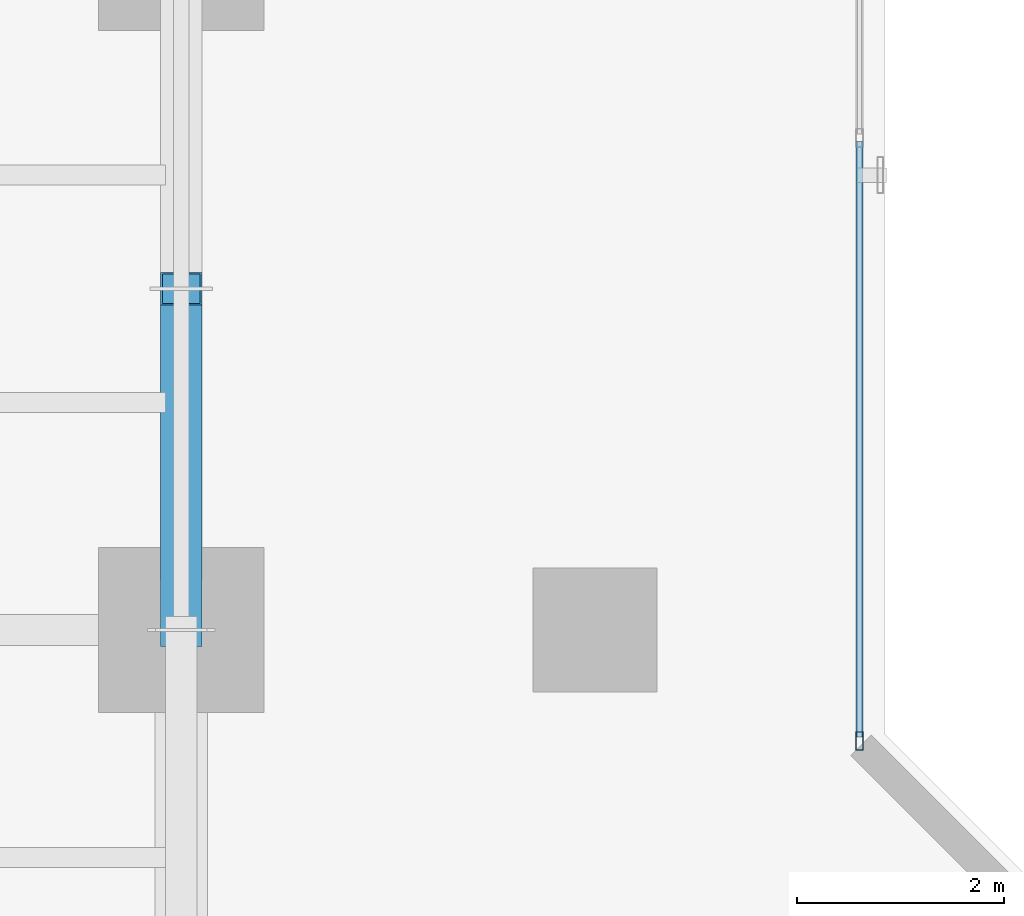
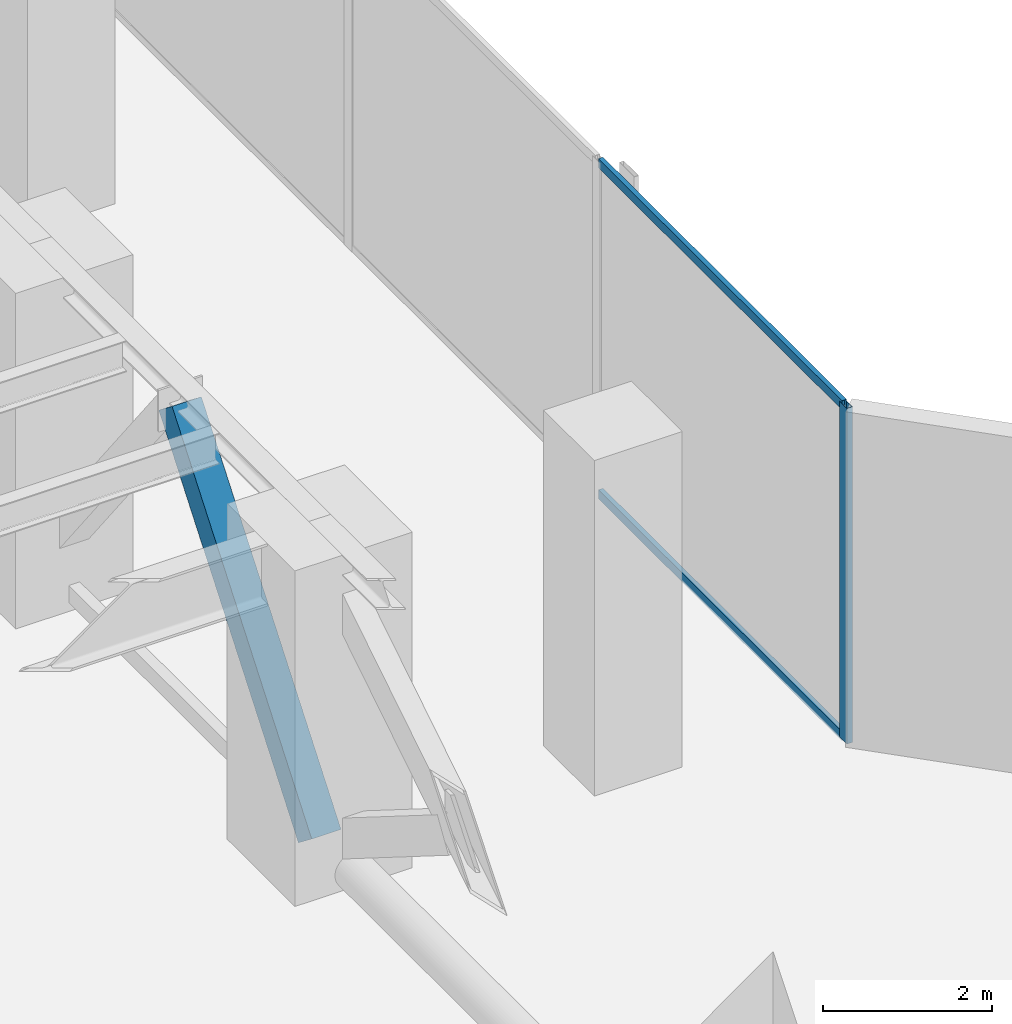
# One storey, part 12 of 36: 4 members, 1 element without a shape of its own.
"""IFC4 building model written with IfcOpenShell, lengths in metres."""

from ifc_helpers import new_model, si_unit, direction, frame, origin, origin_with_axes, origin_2d, place, context, subcontext, project, spatial, hollow_rectangle, extrude, source, transform, mapped, material, layer, layer_set, material_profile, profile_set, type_object, element, aggregate, save


model = new_model("IFC4")

# Units and contexts
model_context = context("Model", 3, precision=1e-05, world=origin(), true_north=direction((0.0, 1.0)))
body_context = subcontext(model_context, "Body", "Model", "MODEL_VIEW")
ifc_project = project(units=[si_unit("LENGTHUNIT", "METRE"), si_unit("AREAUNIT", "SQUARE_METRE"), si_unit("VOLUMEUNIT", "CUBIC_METRE"), si_unit("PLANEANGLEUNIT", "RADIAN"), si_unit("MASSUNIT", "GRAM", prefix="KILO")], contexts=[model_context])

# Site, building, storey
site_placement = place(None, origin())
site = spatial("IfcSite", under=ifc_project, at=site_placement, CompositionType="ELEMENT")
building_placement = place(site_placement, origin())
building = spatial("IfcBuilding", under=site, at=building_placement, Name="Kolvaren Waterfront Exchange", CompositionType="ELEMENT")
storey_placement = place(building_placement, frame((0.0, 0.0, 82.800048828125)))
storey = spatial("IfcBuildingStorey", under=building, at=storey_placement, Name="L21", CompositionType="ELEMENT", Elevation=82.800048828125)

# Member
ifc_material_1 = material(Name="Steel S460", Category="steel")
ifc_material_profile_1 = material_profile(ifc_material_1, hollow_rectangle(XDim=0.39990234375, YDim=0.39990234375, WallThickness=0.02001953125, at=origin_2d()), Name="SHS400x400x20")
ifc_profile_set_1 = profile_set([ifc_material_profile_1], Name="Steel S460")
member_type_1 = type_object("IfcMemberType", Name="STR-BR-SHS400", PredefinedType="BRACE", material=ifc_profile_set_1)
member_1_placement = place(storey_placement, frame((18.800048828125, 31.199951171875, 0.25), z_axis=(0.0, 0.614204826898, 0.789146647091), x_axis=(-1.0, 0.0, 0.0)))
element("IfcMember", 1, at=member_1_placement, inside=storey, type_object=member_type_1, Name="L21 belt-truss chevron brace BT6L", PredefinedType="BRACE", context=body_context, shape_type="SweptSolid", body=[
    extrude(hollow_rectangle(XDim=0.39990234375, YDim=0.39990234375, WallThickness=0.02001953125, at=origin_2d()), origin(), (0.0, 0.0, 1.0), 5.372802734375),
])

# Curtain wall, members
ifc_material_2 = material(Name="Anodised dark bronze spandrel aluminium", Category="aluminium")
ifc_layer = layer(ifc_material_2, 0.219970703125, Name="Anodised dark bronze spandrel aluminium")
ifc_layer_set = layer_set([ifc_layer], Name="Anodised dark bronze spandrel aluminium")
curtain_wall_type = type_object("IfcCurtainWallType", Name="ARC-CW-SYS6", PredefinedType="USERDEFINED", material=ifc_layer_set)
curtain_wall_placement = place(storey_placement, origin())
curtain_wall = element("IfcCurtainWall", 2, at=curtain_wall_placement, inside=storey, type_object=curtain_wall_type, Name="L21 stick curtain wall CW6 (CW-L21-NE)", ObjectType="STICK CURTAIN WALL", PredefinedType="USERDEFINED")
ifc_material_3 = material(Name="Anodised bronze aluminium 6063-T6", Category="aluminium")
ifc_material_profile_2 = material_profile(ifc_material_3, hollow_rectangle(XDim=0.074951171875, YDim=0.179931640625, WallThickness=0.00439453125, at=origin_2d()), Name="ALU-MUL-180x75x4.5")
ifc_profile_set_2 = profile_set([ifc_material_profile_2], Name="Anodised bronze aluminium 6063-T6")
member_type_2 = type_object("IfcMemberType", Name="ARC-CWM-180", PredefinedType="MULLION", material=ifc_profile_set_2)
shared_shape_1 = source(origin_with_axes(), body_context, "Body", "SweptSolid", [
    extrude(hollow_rectangle(XDim=0.074951171875, YDim=0.179931640625, WallThickness=0.00439453125, at=origin_2d()), origin(), (0.0, 0.0, 1.0), 4.83984375),
])
member_2_placement = place(storey_placement, frame((25.360107421875, 30.12744140625, 0.0), z_axis=(0.0, 0.0, 1.0), x_axis=(-1.0, 0.0, 0.0)))
member_2 = element("IfcMember", 3, at=member_2_placement, type_object=member_type_2, Name="CW6 mullion 1", PredefinedType="MULLION", context=body_context, shape_type="MappedRepresentation", body=[
    mapped(shared_shape_1, transform((0.0, 0.0, 0.0), x_axis=(1.0, 0.0, 0.0), y_axis=(0.0, 1.0, 0.0), z_axis=(0.0, 0.0, 1.0), scale=1.0)),
])
ifc_material_profile_3 = material_profile(ifc_material_3, hollow_rectangle(XDim=0.06494140625, YDim=0.1298828125, WallThickness=0.00390625, at=origin_2d()), Name="ALU-TRN-130x65x4")
ifc_profile_set_3 = profile_set([ifc_material_profile_3], Name="Anodised bronze aluminium 6063-T6")
member_type_3 = type_object("IfcMemberType", Name="ARC-CWT-130", PredefinedType="USERDEFINED", material=ifc_profile_set_3)
shared_shape_2 = source(origin_with_axes(), body_context, "Body", "SweptSolid", [
    extrude(hollow_rectangle(XDim=0.06494140625, YDim=0.1298828125, WallThickness=0.00390625, at=origin_2d()), origin(), (0.0, 0.0, 1.0), 5.757568359375),
])
member_3_placement = place(storey_placement, frame((25.360107421875, 30.1650390625, 0.032470703125), z_axis=(0.0, 1.0, 0.0), x_axis=(-1.0, 0.0, 0.0)))
member_3 = element("IfcMember", 4, at=member_3_placement, type_object=member_type_3, Name="CW6 transom 1.1", ObjectType="TRANSOM", PredefinedType="USERDEFINED", context=body_context, shape_type="MappedRepresentation", body=[
    mapped(shared_shape_2, transform((0.0, 0.0, 0.0), x_axis=(1.0, 0.0, 0.0), y_axis=(0.0, 1.0, 0.0), z_axis=(0.0, 0.0, 1.0), scale=1.0)),
])
member_4_placement = place(storey_placement, frame((25.360107421875, 30.1650390625, 4.807373046875), z_axis=(0.0, 1.0, 0.0), x_axis=(-1.0, 0.0, 0.0)))
member_4 = element("IfcMember", 5, at=member_4_placement, type_object=member_type_3, Name="CW6 transom 1.2", ObjectType="TRANSOM", PredefinedType="USERDEFINED", context=body_context, shape_type="MappedRepresentation", body=[
    mapped(shared_shape_2, transform((0.0, 0.0, 0.0), x_axis=(1.0, 0.0, 0.0), y_axis=(0.0, 1.0, 0.0), z_axis=(0.0, 0.0, 1.0), scale=1.0)),
])
aggregate(curtain_wall, [member_2, member_3, member_4])

save(model, "model.ifc")
